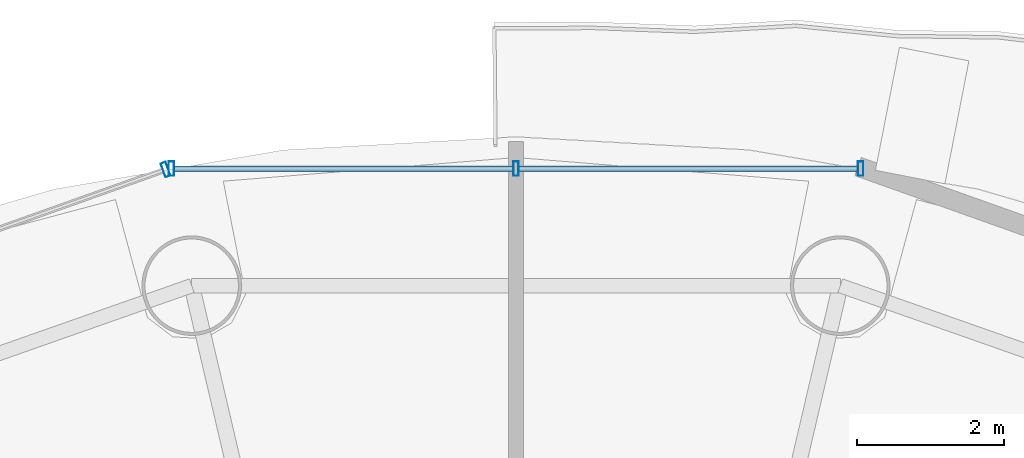
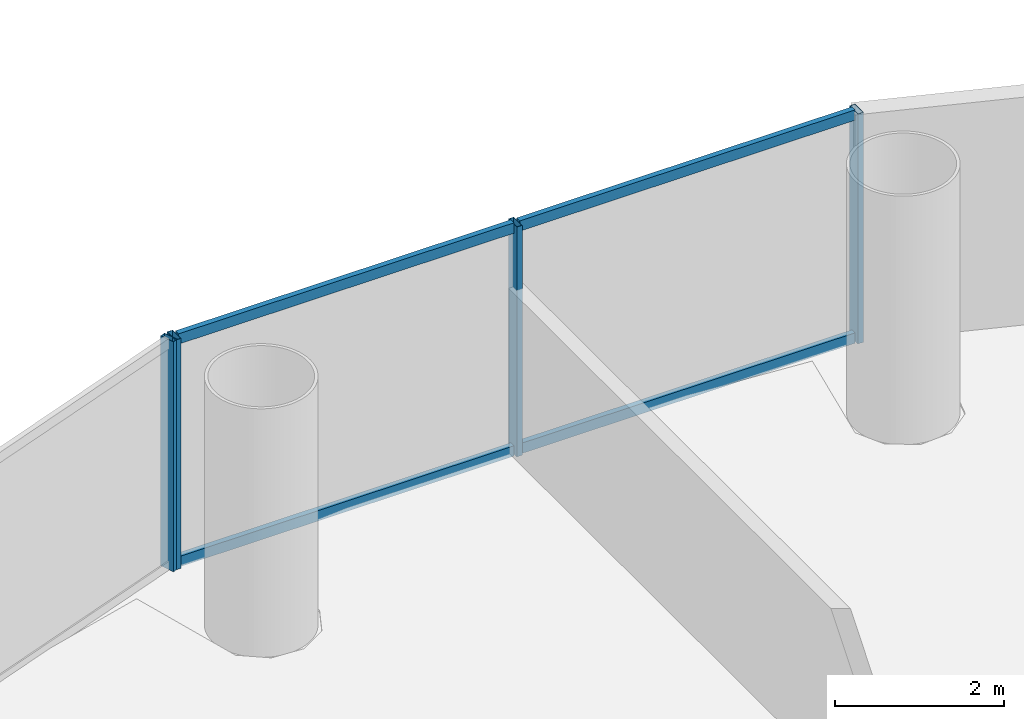
# One storey, part 16 of 26: 8 members, 2 elements without a shape of their own.
"""IFC4 building model written with IfcOpenShell, lengths in metres."""

from ifc_helpers import new_model, si_unit, direction, frame, origin, origin_2d, place, context, subcontext, project, spatial, hollow_rectangle, extrude, source, transform, mapped, material, material_profile, profile_set, type_object, element, aggregate, save


model = new_model("IFC4")

# Units and contexts
model_context = context("Model", 3, precision=1e-05, world=origin(), true_north=direction((-0.2419218956, 0.970295726276)))
body_context = subcontext(model_context, "Body", "Model", "MODEL_VIEW")
ifc_project = project(units=[si_unit("LENGTHUNIT", "METRE"), si_unit("AREAUNIT", "SQUARE_METRE"), si_unit("VOLUMEUNIT", "CUBIC_METRE"), si_unit("PLANEANGLEUNIT", "RADIAN"), si_unit("MASSUNIT", "GRAM", prefix="KILO")], contexts=[model_context])

# Site, building, storey
site_placement = place(None, origin())
site = spatial("IfcSite", under=ifc_project, at=site_placement, CompositionType="ELEMENT")
building_placement = place(site_placement, origin())
building = spatial("IfcBuilding", under=site, at=building_placement, Name="Cobrevalo Terracotta Tower", CompositionType="ELEMENT")
storey_placement = place(building_placement, frame((0.0, 0.0, 167.800048828125)))
storey = spatial("IfcBuildingStorey", under=building, at=storey_placement, Name="L44", CompositionType="ELEMENT", Elevation=167.800048828125)

# Curtain wall, members
ifc_material = material(Name="Anodized aluminium", Category="aluminium")
curtain_wall_type = type_object("IfcCurtainWallType", Name="Mid-tower high-wind unitised curtain wall CW-U2", PredefinedType="NOTDEFINED", material=ifc_material)
curtain_wall_1_placement = place(storey_placement, origin())
curtain_wall_1 = element("IfcCurtainWall", 1, at=curtain_wall_1_placement, inside=storey, type_object=curtain_wall_type, Name="L44 curtain wall CW-L44-S04", PredefinedType="NOTDEFINED")
ifc_material_profile_1 = material_profile(ifc_material, hollow_rectangle(XDim=0.074951171875, YDim=0.14990234375, WallThickness=0.00439453125, at=origin_2d()), Name="CWT 75x150")
ifc_profile_set_1 = profile_set([ifc_material_profile_1], Name="Anodized aluminium")
member_type_1 = type_object("IfcMemberType", Name="Tower unitised aluminium transom 75x150", PredefinedType="USERDEFINED", material=ifc_profile_set_1)
shared_shape_1 = source(origin(), body_context, "Body", "SweptSolid", [
    extrude(hollow_rectangle(XDim=0.074951171875, YDim=0.14990234375, WallThickness=0.00439453125, at=origin_2d()), origin(), (0.0, 0.0, 1.0), 4.59521484375),
])
member_1_placement = place(storey_placement, frame((42.63525390625, 47.1708984375, 0.050048828125), z_axis=(-1.0, 0.0, 0.0), x_axis=(0.0, -1.0, 0.0)))
member_1 = element("IfcMember", 2, at=member_1_placement, type_object=member_type_1, Name="CW-L44-S04 transom B01-T1", ObjectType="TRANSOM", PredefinedType="USERDEFINED", context=body_context, shape_type="MappedRepresentation", body=[
    mapped(shared_shape_1, transform((0.0, 0.0, 0.0), scale=1.0)),
])
member_2_placement = place(storey_placement, frame((42.63525390625, 47.1708984375, 3.280029296875), z_axis=(-1.0, 0.0, 0.0), x_axis=(0.0, -1.0, 0.0)))
member_2 = element("IfcMember", 3, at=member_2_placement, type_object=member_type_1, Name="CW-L44-S04 transom B01-T2", ObjectType="TRANSOM", PredefinedType="USERDEFINED", context=body_context, shape_type="MappedRepresentation", body=[
    mapped(shared_shape_1, transform((0.0, 0.0, 0.0), scale=1.0)),
])
member_3_placement = place(storey_placement, frame((37.9599609375, 47.1708984375, 0.050048828125), z_axis=(-1.0, 0.0, 0.0), x_axis=(0.0, -1.0, 0.0)))
member_3 = element("IfcMember", 4, at=member_3_placement, type_object=member_type_1, Name="CW-L44-S04 transom B02-T1", ObjectType="TRANSOM", PredefinedType="USERDEFINED", context=body_context, shape_type="MappedRepresentation", body=[
    mapped(shared_shape_1, transform((0.0, 0.0, 0.0), scale=1.0)),
])
member_4_placement = place(storey_placement, frame((37.9599609375, 47.1708984375, 3.280029296875), z_axis=(-1.0, 0.0, 0.0), x_axis=(0.0, -1.0, 0.0)))
member_4 = element("IfcMember", 5, at=member_4_placement, type_object=member_type_1, Name="CW-L44-S04 transom B02-T2", ObjectType="TRANSOM", PredefinedType="USERDEFINED", context=body_context, shape_type="MappedRepresentation", body=[
    mapped(shared_shape_1, transform((0.0, 0.0, 0.0), scale=1.0)),
])
ifc_material_profile_2 = material_profile(ifc_material, hollow_rectangle(XDim=0.074951171875, YDim=0.199951171875, WallThickness=0.0048828125, at=origin_2d()), Name="CWM 75x200")
ifc_profile_set_2 = profile_set([ifc_material_profile_2], Name="Anodized aluminium")
member_type_2 = type_object("IfcMemberType", Name="Lower/mid tower unitised mullion 75x200", PredefinedType="MULLION", material=ifc_profile_set_2)
shared_shape_2 = source(origin(), body_context, "Body", "SweptSolid", [
    extrude(hollow_rectangle(XDim=0.074951171875, YDim=0.199951171875, WallThickness=0.0048828125, at=origin_2d()), origin(), (0.0, 0.0, 1.0), 3.329833984375),
])
member_5_placement = place(storey_placement, frame((42.67529296875, 47.1708984375, 0.0), z_axis=(0.0, 0.0, 1.0), x_axis=(-1.0, 0.0, 0.0)))
member_5 = element("IfcMember", 6, at=member_5_placement, type_object=member_type_2, Name="CW-L44-S04 vertical mullion 01", PredefinedType="MULLION", context=body_context, shape_type="MappedRepresentation", body=[
    mapped(shared_shape_2, transform((0.0, 0.0, 0.0), scale=1.0)),
])
member_6_placement = place(storey_placement, frame((38.0, 47.1708984375, 0.0), z_axis=(0.0, 0.0, 1.0), x_axis=(-1.0, 0.0, 0.0)))
member_6 = element("IfcMember", 7, at=member_6_placement, type_object=member_type_2, Name="CW-L44-S04 vertical mullion 02", PredefinedType="MULLION", context=body_context, shape_type="MappedRepresentation", body=[
    mapped(shared_shape_2, transform((0.0, 0.0, 0.0), scale=1.0)),
])
member_7_placement = place(storey_placement, frame((33.32470703125, 47.1708984375, 0.0), z_axis=(0.0, 0.0, 1.0), x_axis=(-1.0, 0.0, 0.0)))
member_7 = element("IfcMember", 8, at=member_7_placement, type_object=member_type_2, Name="CW-L44-S04 vertical mullion 03", PredefinedType="MULLION", context=body_context, shape_type="MappedRepresentation", body=[
    mapped(shared_shape_2, transform((0.0, 0.0, 0.0), scale=1.0)),
])
aggregate(curtain_wall_1, [member_5, member_6, member_7, member_1, member_2, member_3, member_4])

# Curtain wall, member
curtain_wall_2_placement = place(storey_placement, origin())
curtain_wall_2 = element("IfcCurtainWall", 9, at=curtain_wall_2_placement, inside=storey, type_object=curtain_wall_type, Name="L44 curtain wall CW-L44-S05", PredefinedType="NOTDEFINED")
member_8_placement = place(storey_placement, frame((33.2470703125, 47.157470703125, 0.0), z_axis=(0.0, 0.0, 1.0), x_axis=(-0.942098428897, -0.335336473217, 0.0)))
member_8 = element("IfcMember", 10, at=member_8_placement, type_object=member_type_2, Name="CW-L44-S05 vertical mullion 01", PredefinedType="MULLION", context=body_context, shape_type="MappedRepresentation", body=[
    mapped(shared_shape_2, transform((0.0, 0.0, 0.0), scale=1.0)),
])
aggregate(curtain_wall_2, [member_8])

save(model, "model.ifc")
